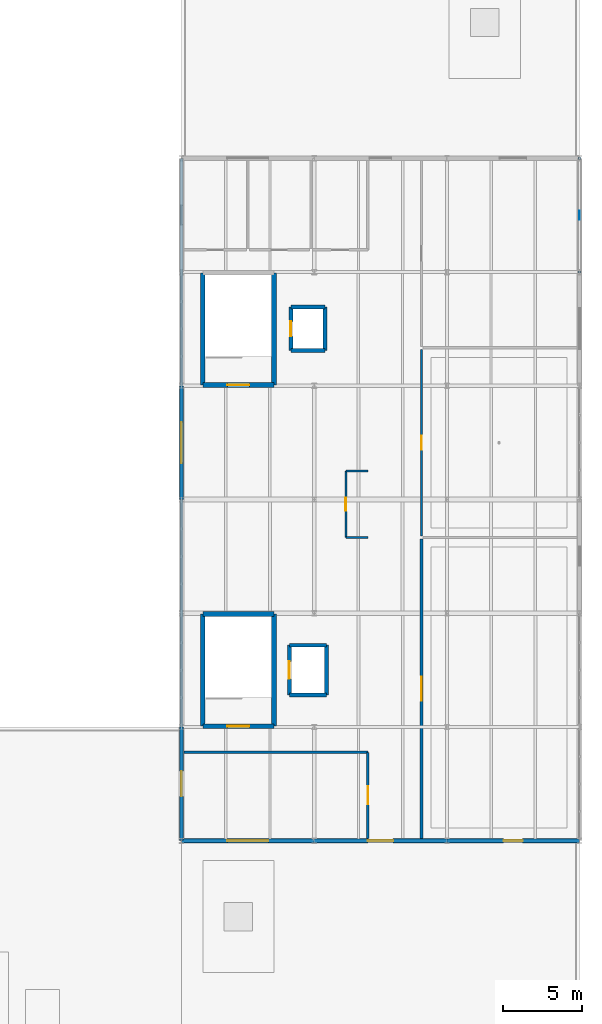
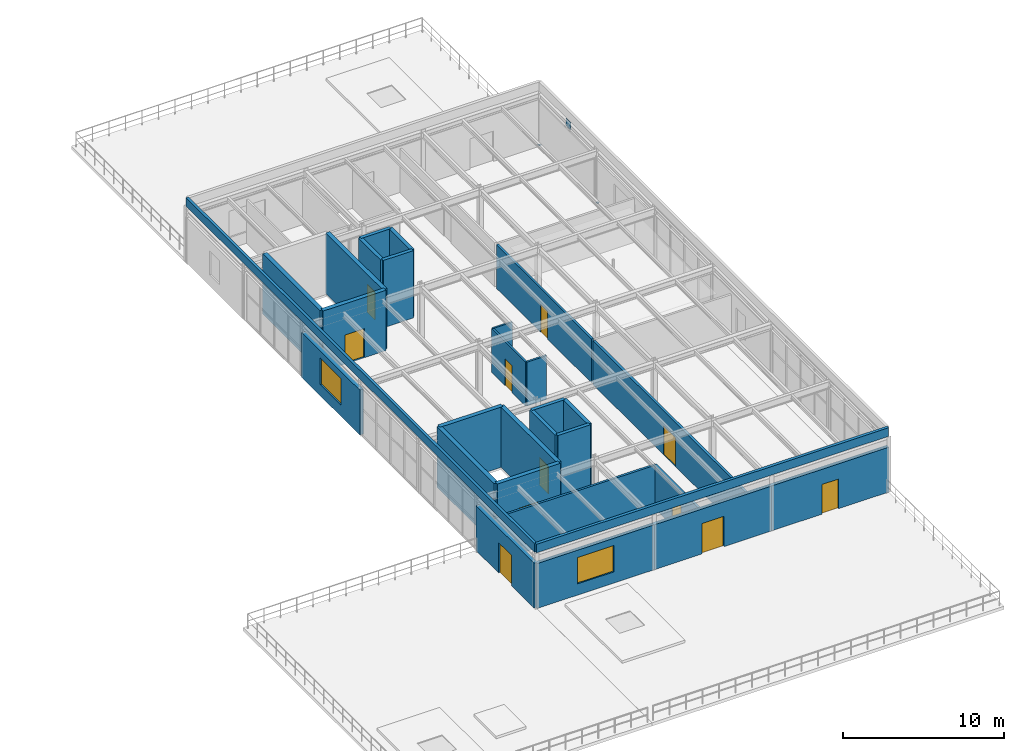
# One storey, part 74 of 77: 29 walls, 11 doors, 3 plates, 2 windows, 13 openings.
"""IFC4 building model written with IfcOpenShell, lengths in metres."""

from ifc_helpers import new_model, si_unit, derived_unit, direction, frame, frame_2d, origin, origin_2d, place, context, subcontext, project, spatial, rectangle, extrude, material, layer, layer_set, type_object, element, fill, save


model = new_model("IFC4")

# Units and contexts
model_context = context("Model", 3, precision=1e-05, world=origin(), true_north=direction((0.0, 1.0)))
body_context = subcontext(model_context, "Body", "Model", "MODEL_VIEW")
ifc_project = project(units=[si_unit("LENGTHUNIT", "METRE"), si_unit("AREAUNIT", "SQUARE_METRE"), si_unit("VOLUMEUNIT", "CUBIC_METRE"), si_unit("PLANEANGLEUNIT", "RADIAN"), si_unit("MASSUNIT", "GRAM", prefix="KILO"), derived_unit("THERMALTRANSMITTANCEUNIT", [(si_unit("MASSUNIT", "GRAM", prefix="KILO"), 1), (si_unit("TIMEUNIT", "SECOND"), -3), (si_unit("THERMODYNAMICTEMPERATUREUNIT", "KELVIN"), -1)])], contexts=[model_context])

# Site, building, storey
site_placement = place(None, origin())
site = spatial("IfcSite", under=ifc_project, at=site_placement, CompositionType="ELEMENT")
building_placement = place(site_placement, origin())
building = spatial("IfcBuilding", under=site, at=building_placement, Name="Kharveza Railside Sports Centre", CompositionType="ELEMENT")
storey_placement = place(building_placement, frame((0.0, 0.0, 17.10009765625)))
storey = spatial("IfcBuildingStorey", under=building, at=storey_placement, Name="L04", CompositionType="ELEMENT", Elevation=17.10009765625)

# Plates
ifc_material_1 = material(Name="Steel S355J2", Category="steel")
ifc_layer_1 = layer(ifc_material_1, 0.02001953125, Name="Steel S355J2")
ifc_layer_set_1 = layer_set([ifc_layer_1], Name="Steel S355J2")
plate_type_1 = type_object("IfcPlateType", Name="PL-EC11", PredefinedType="USERDEFINED", material=ifc_layer_set_1)
for number, where, z_axis, x_axis, name in (
    (1, (168.0, 64.800048828125, -0.010009765625), (0.0, 0.0, 1.0), (1.0, 0.0, 0.0), "PLT-EC-180"),
    (2, (168.0, 72.0, -0.010009765625), (0.0, 0.0, 1.0), (1.0, 0.0, 0.0), "PLT-EC-181"),
):
    element("IfcPlate", number, at=place(storey_placement, frame(where, z_axis=z_axis, x_axis=x_axis)), inside=storey, type_object=plate_type_1, Name=name, ObjectType="END_CAP_PLATE", PredefinedType="USERDEFINED", context=body_context, shape_type="SweptSolid", body=[
        extrude(rectangle(XDim=0.14990234375, YDim=0.14990234375, at=origin_2d()), origin(), (0.0, 0.0, 1.0), 0.02001953125),
    ])
ifc_layer_2 = layer(ifc_material_1, 0.028076171875, Name="Steel S355J2")
ifc_layer_set_2 = layer_set([ifc_layer_2], Name="Steel S355J2")
plate_type_2 = type_object("IfcPlateType", Name="PL-GS05", PredefinedType="USERDEFINED", material=ifc_layer_set_2)
plate_placement = place(storey_placement, frame((168.0, 68.39990234375, 3.469970703125), z_axis=(0.0, 0.0, 1.0), x_axis=(1.0, 0.0, 0.0)))
element("IfcPlate", 3, at=plate_placement, inside=storey, type_object=plate_type_2, Name="PLT-GS-CHEVN-022", ObjectType="GUSSET_PLATE", PredefinedType="USERDEFINED", context=body_context, shape_type="SweptSolid", body=[
    extrude(rectangle(XDim=0.028076171875, YDim=0.56005859375, at=origin_2d()), origin(), (0.0, 0.0, 1.0), 0.56005859375),
])

# Walls
ifc_material_2 = material(Name="Concrete C35/45", Category="concrete")
ifc_layer_3 = layer(ifc_material_2, 0.25, Name="Concrete C35/45")
ifc_layer_set_3 = layer_set([ifc_layer_3], Name="Concrete C35/45")
wall_type_1 = type_object("IfcWallType", Name="WL-CR250", PredefinedType="SHEAR", material=ifc_layer_set_3)
wall_1_placement = place(storey_placement, frame((149.625, 38.02490234375, 0.0), z_axis=(0.0, 0.0, 1.0), x_axis=(1.0, 0.0, 0.0)))
element("IfcWall", 4, at=wall_1_placement, inside=storey, type_object=wall_type_1, Name="WL-LFSH-LF1-L04-S", PredefinedType="SHEAR", context=body_context, shape_type="SweptSolid", body=[
    extrude(rectangle(XDim=2.35009765625, YDim=0.25, at=frame_2d((1.175048828125, 0.0))), origin(), (0.0, 0.0, 1.0), 5.099853515625),
])
wall_2_placement = place(storey_placement, frame((151.97509765625, 38.02490234375, 0.0), z_axis=(0.0, 0.0, 1.0), x_axis=(0.0, 1.0, 0.0)))
element("IfcWall", 5, at=wall_2_placement, inside=storey, type_object=wall_type_1, Name="WL-LFSH-LF1-L04-E", PredefinedType="SHEAR", context=body_context, shape_type="SweptSolid", body=[
    extrude(rectangle(XDim=3.150146484375, YDim=0.25, at=frame_2d((1.5751953125, 0.0))), origin(), (0.0, 0.0, 1.0), 5.099853515625),
])
wall_3_placement = place(storey_placement, frame((151.97509765625, 41.175048828125, 0.0), z_axis=(0.0, 0.0, 1.0), x_axis=(-1.0, 0.0, 0.0)))
element("IfcWall", 6, at=wall_3_placement, inside=storey, type_object=wall_type_1, Name="WL-LFSH-LF1-L04-N", PredefinedType="SHEAR", context=body_context, shape_type="SweptSolid", body=[
    extrude(rectangle(XDim=2.35009765625, YDim=0.25, at=frame_2d((1.175048828125, 0.0))), origin(), (0.0, 0.0, 1.0), 5.099853515625),
])

# Wall, opening, door
wall_4_placement = place(storey_placement, frame((149.625, 41.175048828125, 0.0), z_axis=(0.0, 0.0, 1.0), x_axis=(0.0, -1.0, 0.0)))
wall_4 = element("IfcWall", 7, at=wall_4_placement, inside=storey, type_object=wall_type_1, Name="WL-LFSH-LF1-L04-W", PredefinedType="SHEAR", context=body_context, shape_type="SweptSolid", body=[
    extrude(rectangle(XDim=3.150146484375, YDim=0.25, at=frame_2d((1.5751953125, 0.0))), origin(), (0.0, 0.0, 1.0), 5.099853515625),
])
opening_1_placement = place(wall_4_placement, frame((1.02490234375, 0.0, 0.0)))
opening_1 = element("IfcOpeningElement", 8, at=opening_1_placement, cuts=wall_4, Name="Opening D11", PredefinedType="OPENING", context=body_context, shape_type="SweptSolid", body=[
    extrude(rectangle(XDim=1.10009765625, YDim=2.10009765625, at=frame_2d((0.550048828125, 1.050048828125))), frame((0.0, 0.14990234375, 0.0), z_axis=(0.0, -1.0, 0.0), x_axis=(1.0, 0.0, 0.0)), (0.0, 0.0, 1.0), 0.2998046875),
])
ifc_material_3 = material(Name="Brushed stainless steel landing door", Category="steel")
door_type_1 = type_object("IfcDoorType", Name="DR-LF01", OperationType="NOTDEFINED", PredefinedType="DOOR", material=ifc_material_3)
door_1_placement = place(opening_1_placement, origin())
door_1 = element("IfcDoor", 9, at=door_1_placement, inside=storey, type_object=door_type_1, Name="DR-LD-LF1-L04", OperationType="SLIDING_TO_LEFT", OverallHeight=2.10009765625, OverallWidth=1.10009765625, PredefinedType="DOOR", context=body_context, shape_type="SweptSolid", body=[
    extrude(rectangle(XDim=1.10009765625, YDim=2.10009765625, at=frame_2d((0.550048828125, 1.050048828125))), frame((0.0, 0.02490234375, 0.0), z_axis=(0.0, -1.0, 0.0), x_axis=(1.0, 0.0, 0.0)), (0.0, 0.0, 1.0), 0.050048828125),
])
fill(opening_1, door_1)

# Walls
wall_5_placement = place(storey_placement, frame((149.72509765625, 59.824951171875, 0.0), z_axis=(0.0, 0.0, 1.0), x_axis=(1.0, 0.0, 0.0)))
element("IfcWall", 10, at=wall_5_placement, inside=storey, type_object=wall_type_1, Name="WL-LFSH-LF2-L04-S", PredefinedType="SHEAR", context=body_context, shape_type="SweptSolid", body=[
    extrude(rectangle(XDim=2.14990234375, YDim=0.25, at=frame_2d((1.074951171875, 0.0))), origin(), (0.0, 0.0, 1.0), 5.099853515625),
])
wall_6_placement = place(storey_placement, frame((151.875, 59.824951171875, 0.0), z_axis=(0.0, 0.0, 1.0), x_axis=(0.0, 1.0, 0.0)))
element("IfcWall", 11, at=wall_6_placement, inside=storey, type_object=wall_type_1, Name="WL-LFSH-LF2-L04-E", PredefinedType="SHEAR", context=body_context, shape_type="SweptSolid", body=[
    extrude(rectangle(XDim=2.75, YDim=0.25, at=frame_2d((1.375, 0.0))), origin(), (0.0, 0.0, 1.0), 5.099853515625),
])
wall_7_placement = place(storey_placement, frame((151.875, 62.574951171875, 0.0), z_axis=(0.0, 0.0, 1.0), x_axis=(-1.0, 0.0, 0.0)))
element("IfcWall", 12, at=wall_7_placement, inside=storey, type_object=wall_type_1, Name="WL-LFSH-LF2-L04-N", PredefinedType="SHEAR", context=body_context, shape_type="SweptSolid", body=[
    extrude(rectangle(XDim=2.14990234375, YDim=0.25, at=frame_2d((1.074951171875, 0.0))), origin(), (0.0, 0.0, 1.0), 5.099853515625),
])

# Wall, opening, door
wall_8_placement = place(storey_placement, frame((149.72509765625, 62.574951171875, 0.0), z_axis=(0.0, 0.0, 1.0), x_axis=(0.0, -1.0, 0.0)))
wall_8 = element("IfcWall", 13, at=wall_8_placement, inside=storey, type_object=wall_type_1, Name="WL-LFSH-LF2-L04-W", PredefinedType="SHEAR", context=body_context, shape_type="SweptSolid", body=[
    extrude(rectangle(XDim=2.75, YDim=0.25, at=frame_2d((1.375, 0.0))), origin(), (0.0, 0.0, 1.0), 5.099853515625),
])
opening_2_placement = place(wall_8_placement, frame((0.89990234375, 0.0, 0.0)))
opening_2 = element("IfcOpeningElement", 14, at=opening_2_placement, cuts=wall_8, Name="Opening D12", PredefinedType="OPENING", context=body_context, shape_type="SweptSolid", body=[
    extrude(rectangle(XDim=0.949951171875, YDim=2.10009765625, at=frame_2d((0.47509765625, 1.050048828125))), frame((0.0, 0.14990234375, 0.0), z_axis=(0.0, -1.0, 0.0), x_axis=(1.0, 0.0, 0.0)), (0.0, 0.0, 1.0), 0.2998046875),
])
door_type_2 = type_object("IfcDoorType", Name="DR-LF02", OperationType="NOTDEFINED", PredefinedType="DOOR", material=ifc_material_3)
door_2_placement = place(opening_2_placement, origin())
door_2 = element("IfcDoor", 15, at=door_2_placement, inside=storey, type_object=door_type_2, Name="DR-LD-LF2-L04", OperationType="SLIDING_TO_LEFT", OverallHeight=2.10009765625, OverallWidth=0.949951171875, PredefinedType="DOOR", context=body_context, shape_type="SweptSolid", body=[
    extrude(rectangle(XDim=0.949951171875, YDim=2.10009765625, at=frame_2d((0.47509765625, 1.050048828125))), frame((0.0, 0.02490234375, 0.0), z_axis=(0.0, -1.0, 0.0), x_axis=(1.0, 0.0, 0.0)), (0.0, 0.0, 1.0), 0.050048828125),
])
fill(opening_2, door_2)

ifc_layer_4 = layer(ifc_material_2, 0.300048828125, Name="Concrete C35/45")
ifc_layer_set_4 = layer_set([ifc_layer_4], Name="Concrete C35/45")
wall_type_2 = type_object("IfcWallType", Name="WL-CR300", PredefinedType="SHEAR", material=ifc_layer_set_4)
wall_9_placement = place(storey_placement, frame((144.14990234375, 36.050048828125, 0.0), z_axis=(0.0, 0.0, 1.0), x_axis=(1.0, 0.0, 0.0)))
wall_9 = element("IfcWall", 16, at=wall_9_placement, inside=storey, type_object=wall_type_2, Name="WL-CORE-ST1-L04-S", PredefinedType="SHEAR", context=body_context, shape_type="SweptSolid", body=[
    extrude(rectangle(XDim=4.5, YDim=0.300048828125, at=frame_2d((2.25, 0.0))), origin(), (0.0, 0.0, 1.0), 4.559814453125),
])
opening_3_placement = place(wall_9_placement, frame((1.550048828125, 0.0, 0.0)))
opening_3 = element("IfcOpeningElement", 17, at=opening_3_placement, cuts=wall_9, Name="Opening D09", PredefinedType="OPENING", context=body_context, shape_type="SweptSolid", body=[
    extrude(rectangle(XDim=1.39990234375, YDim=2.199951171875, at=frame_2d((0.699951171875, 1.10009765625))), frame((0.0, 0.1748046875, 0.0), z_axis=(0.0, -1.0, 0.0), x_axis=(1.0, 0.0, 0.0)), (0.0, 0.0, 1.0), 0.349853515625),
])
ifc_material_4 = material(Name="Fire-rated hardwood door leaf", Category="wood")
door_type_3 = type_object("IfcDoorType", Name="DR-ST02", OperationType="NOTDEFINED", PredefinedType="DOOR", material=ifc_material_4)
door_3_placement = place(opening_3_placement, frame((1.39990234375, 0.0, 0.0), z_axis=(0.0, 0.0, 1.0), x_axis=(-1.0, 0.0, 0.0)))
door_3 = element("IfcDoor", 18, at=door_3_placement, inside=storey, type_object=door_type_3, Name="DR-ST-ST1-L04", OperationType="SINGLE_SWING_RIGHT", OverallHeight=2.199951171875, OverallWidth=1.39990234375, PredefinedType="DOOR", context=body_context, shape_type="SweptSolid", body=[
    extrude(rectangle(XDim=1.39990234375, YDim=2.199951171875, at=frame_2d((0.699951171875, 1.10009765625))), frame((0.0, 0.02490234375, 0.0), z_axis=(0.0, -1.0, 0.0), x_axis=(1.0, 0.0, 0.0)), (0.0, 0.0, 1.0), 0.050048828125),
])
fill(opening_3, door_3)

# Walls
wall_10_placement = place(storey_placement, frame((148.64990234375, 36.050048828125, 0.0), z_axis=(0.0, 0.0, 1.0), x_axis=(0.0, 1.0, 0.0)))
element("IfcWall", 19, at=wall_10_placement, inside=storey, type_object=wall_type_2, Name="WL-CORE-ST1-L04-E", PredefinedType="SHEAR", context=body_context, shape_type="SweptSolid", body=[
    extrude(rectangle(XDim=7.099853515625, YDim=0.300048828125, at=frame_2d((3.5498046875, 0.0))), origin(), (0.0, 0.0, 1.0), 4.559814453125),
])
wall_11_placement = place(storey_placement, frame((148.64990234375, 43.14990234375, 0.0), z_axis=(0.0, 0.0, 1.0), x_axis=(-1.0, 0.0, 0.0)))
element("IfcWall", 20, at=wall_11_placement, inside=storey, type_object=wall_type_2, Name="WL-CORE-ST1-L04-N", PredefinedType="SHEAR", context=body_context, shape_type="SweptSolid", body=[
    extrude(rectangle(XDim=4.5, YDim=0.300048828125, at=frame_2d((2.25, 0.0))), origin(), (0.0, 0.0, 1.0), 4.559814453125),
])
wall_12_placement = place(storey_placement, frame((144.14990234375, 43.14990234375, 0.0), z_axis=(0.0, 0.0, 1.0), x_axis=(0.0, -1.0, 0.0)))
element("IfcWall", 21, at=wall_12_placement, inside=storey, type_object=wall_type_2, Name="WL-CORE-ST1-L04-W", PredefinedType="SHEAR", context=body_context, shape_type="SweptSolid", body=[
    extrude(rectangle(XDim=7.099853515625, YDim=0.300048828125, at=frame_2d((3.5498046875, 0.0))), origin(), (0.0, 0.0, 1.0), 4.559814453125),
])

# Wall, opening, door
wall_13_placement = place(storey_placement, frame((144.14990234375, 57.64990234375, 0.0), z_axis=(0.0, 0.0, 1.0), x_axis=(1.0, 0.0, 0.0)))
wall_13 = element("IfcWall", 22, at=wall_13_placement, inside=storey, type_object=wall_type_2, Name="WL-CORE-ST2-L04-S", PredefinedType="SHEAR", context=body_context, shape_type="SweptSolid", body=[
    extrude(rectangle(XDim=4.5, YDim=0.300048828125, at=frame_2d((2.25, 0.0))), origin(), (0.0, 0.0, 1.0), 4.559814453125),
])
opening_4_placement = place(wall_13_placement, frame((1.550048828125, 0.0, 0.0)))
opening_4 = element("IfcOpeningElement", 23, at=opening_4_placement, cuts=wall_13, Name="Opening D09", PredefinedType="OPENING", context=body_context, shape_type="SweptSolid", body=[
    extrude(rectangle(XDim=1.39990234375, YDim=2.199951171875, at=frame_2d((0.699951171875, 1.10009765625))), frame((0.0, 0.1748046875, 0.0), z_axis=(0.0, -1.0, 0.0), x_axis=(1.0, 0.0, 0.0)), (0.0, 0.0, 1.0), 0.349853515625),
])
door_4_placement = place(opening_4_placement, frame((1.39990234375, 0.0, 0.0), z_axis=(0.0, 0.0, 1.0), x_axis=(-1.0, 0.0, 0.0)))
door_4 = element("IfcDoor", 24, at=door_4_placement, inside=storey, type_object=door_type_3, Name="DR-ST-ST2-L04", OperationType="SINGLE_SWING_LEFT", OverallHeight=2.199951171875, OverallWidth=1.39990234375, PredefinedType="DOOR", context=body_context, shape_type="SweptSolid", body=[
    extrude(rectangle(XDim=1.39990234375, YDim=2.199951171875, at=frame_2d((0.699951171875, 1.10009765625))), frame((0.0, 0.02490234375, 0.0), z_axis=(0.0, -1.0, 0.0), x_axis=(1.0, 0.0, 0.0)), (0.0, 0.0, 1.0), 0.050048828125),
])
fill(opening_4, door_4)

# Walls
for number, where, z_axis, x_axis, name in (
    (25, (148.64990234375, 57.64990234375, 0.0), (0.0, 0.0, 1.0), (0.0, 1.0, 0.0), "WL-CORE-ST2-L04-E"),
    (26, (144.14990234375, 64.75, 0.0), (0.0, 0.0, 1.0), (0.0, -1.0, 0.0), "WL-CORE-ST2-L04-W"),
):
    element("IfcWall", number, at=place(storey_placement, frame(where, z_axis=z_axis, x_axis=x_axis)), inside=storey, type_object=wall_type_2, Name=name, PredefinedType="SHEAR", context=body_context, shape_type="SweptSolid", body=[
        extrude(rectangle(XDim=7.10009765625, YDim=0.300048828125, at=frame_2d((3.550048828125, 0.0))), origin(), (0.0, 0.0, 1.0), 4.559814453125),
    ])

# Wall, opening, window
ifc_material_5 = material(Name="Precast concrete C40/50", Category="concrete")
ifc_layer_5 = layer(ifc_material_5, 0.27001953125, Name="Precast concrete C40/50")
ifc_layer_set_5 = layer_set([ifc_layer_5], Name="Precast concrete C40/50")
wall_type_3 = type_object("IfcWallType", Name="WL-EX270", PredefinedType="STANDARD", material=ifc_layer_set_5)
wall_14_placement = place(storey_placement, frame((142.800048828125, 28.800048828125, 0.0), z_axis=(0.0, 0.0, 1.0), x_axis=(1.0, 0.0, 0.0)))
wall_14 = element("IfcWall", 27, at=wall_14_placement, inside=storey, type_object=wall_type_3, Name="WL-EXT-L04-244", PredefinedType="STANDARD", context=body_context, shape_type="SweptSolid", body=[
    extrude(rectangle(XDim=8.39990234375, YDim=0.27001953125, at=frame_2d((4.199951171875, 0.0))), origin(), (0.0, 0.0, 1.0), 3.39501953125),
])
opening_5_placement = place(wall_14_placement, frame((2.89990234375, 0.0, 0.85009765625)))
opening_5 = element("IfcOpeningElement", 28, at=opening_5_placement, cuts=wall_14, Name="Opening WN16", PredefinedType="OPENING", context=body_context, shape_type="SweptSolid", body=[
    extrude(rectangle(XDim=2.60009765625, YDim=2.0, at=frame_2d((1.300048828125, 1.0))), frame((0.0, 0.159912109375, 0.0), z_axis=(0.0, -1.0, 0.0), x_axis=(1.0, 0.0, 0.0)), (0.0, 0.0, 1.0), 0.31982421875),
])
ifc_material_6 = material(Name="Low-E solar-control laminated glass", Category="glass")
window_type = type_object("IfcWindowType", Name="WN-F16", PartitioningType="SINGLE_PANEL", PredefinedType="WINDOW", material=ifc_material_6)
window_1_placement = place(opening_5_placement, origin())
window_1 = element("IfcWindow", 29, at=window_1_placement, inside=storey, type_object=window_type, Name="WN-EXT-L04-144", OverallHeight=2.0, OverallWidth=2.60009765625, PartitioningType="SINGLE_PANEL", PredefinedType="WINDOW", context=body_context, shape_type="SweptSolid", body=[
    extrude(rectangle(XDim=2.60009765625, YDim=2.0, at=frame_2d((1.300048828125, 1.0))), frame((0.0, 0.030029296875, 0.0), z_axis=(0.0, -1.0, 0.0), x_axis=(1.0, 0.0, 0.0)), (0.0, 0.0, 1.0), 0.06005859375),
])
fill(opening_5, window_1)

# Wall, opening, door
wall_15_placement = place(storey_placement, frame((151.199951171875, 28.800048828125, 0.0), z_axis=(0.0, 0.0, 1.0), x_axis=(1.0, 0.0, 0.0)))
wall_15 = element("IfcWall", 30, at=wall_15_placement, inside=storey, type_object=wall_type_3, Name="WL-EXT-L04-245", PredefinedType="STANDARD", context=body_context, shape_type="SweptSolid", body=[
    extrude(rectangle(XDim=8.400146484375, YDim=0.27001953125, at=frame_2d((4.2001953125, 0.0))), origin(), (0.0, 0.0, 1.0), 3.39501953125),
])
opening_6_placement = place(wall_15_placement, frame((3.39990234375, 0.0, 0.0)))
opening_6 = element("IfcOpeningElement", 31, at=opening_6_placement, cuts=wall_15, Name="Opening D04", PredefinedType="OPENING", context=body_context, shape_type="SweptSolid", body=[
    extrude(rectangle(XDim=1.60009765625, YDim=2.300048828125, at=frame_2d((0.800048828125, 1.14990234375))), frame((0.0, 0.159912109375, 0.0), z_axis=(0.0, -1.0, 0.0), x_axis=(1.0, 0.0, 0.0)), (0.0, 0.0, 1.0), 0.31982421875),
])
ifc_material_7 = material(Name="Anodised aluminium 6063-T6", Category="aluminium")
door_type_4 = type_object("IfcDoorType", Name="DR-EX04", OperationType="NOTDEFINED", PredefinedType="DOOR", material=ifc_material_7)
door_5_placement = place(opening_6_placement, frame((1.60009765625, 0.0, 0.0), z_axis=(0.0, 0.0, 1.0), x_axis=(-1.0, 0.0, 0.0)))
door_5 = element("IfcDoor", 32, at=door_5_placement, inside=storey, type_object=door_type_4, Name="DR-TERR-L04-041", OperationType="DOUBLE_DOOR_SINGLE_SWING", OverallHeight=2.300048828125, OverallWidth=1.60009765625, PredefinedType="DOOR", context=body_context, shape_type="SweptSolid", body=[
    extrude(rectangle(XDim=1.60009765625, YDim=2.300048828125, at=frame_2d((0.800048828125, 1.14990234375))), frame((0.0, 0.02490234375, 0.0), z_axis=(0.0, -1.0, 0.0), x_axis=(1.0, 0.0, 0.0)), (0.0, 0.0, 1.0), 0.050048828125),
])
fill(opening_6, door_5)

wall_16_placement = place(storey_placement, frame((159.60009765625, 28.800048828125, 0.0), z_axis=(0.0, 0.0, 1.0), x_axis=(1.0, 0.0, 0.0)))
wall_16 = element("IfcWall", 33, at=wall_16_placement, inside=storey, type_object=wall_type_3, Name="WL-EXT-L04-246", PredefinedType="STANDARD", context=body_context, shape_type="SweptSolid", body=[
    extrude(rectangle(XDim=8.39990234375, YDim=0.27001953125, at=frame_2d((4.199951171875, 0.0))), origin(), (0.0, 0.0, 1.0), 3.39501953125),
])
opening_7_placement = place(wall_16_placement, frame((3.60009765625, 0.0, 0.0)))
opening_7 = element("IfcOpeningElement", 34, at=opening_7_placement, cuts=wall_16, Name="Opening D05", PredefinedType="OPENING", context=body_context, shape_type="SweptSolid", body=[
    extrude(rectangle(XDim=1.199951171875, YDim=2.25, at=frame_2d((0.60009765625, 1.125))), frame((0.0, 0.159912109375, 0.0), z_axis=(0.0, -1.0, 0.0), x_axis=(1.0, 0.0, 0.0)), (0.0, 0.0, 1.0), 0.31982421875),
])
door_type_5 = type_object("IfcDoorType", Name="DR-EX05", OperationType="NOTDEFINED", PredefinedType="DOOR", material=ifc_material_7)
door_6_placement = place(opening_7_placement, frame((1.199951171875, 0.0, 0.0), z_axis=(0.0, 0.0, 1.0), x_axis=(-1.0, 0.0, 0.0)))
door_6 = element("IfcDoor", 35, at=door_6_placement, inside=storey, type_object=door_type_5, Name="DR-TERR-L04-042", OperationType="SINGLE_SWING_RIGHT", OverallHeight=2.25, OverallWidth=1.199951171875, PredefinedType="DOOR", context=body_context, shape_type="SweptSolid", body=[
    extrude(rectangle(XDim=1.199951171875, YDim=2.25, at=frame_2d((0.60009765625, 1.125))), frame((0.0, 0.02490234375, 0.0), z_axis=(0.0, -1.0, 0.0), x_axis=(1.0, 0.0, 0.0)), (0.0, 0.0, 1.0), 0.050048828125),
])
fill(opening_7, door_6)

# Wall, opening, window
wall_17_placement = place(storey_placement, frame((142.800048828125, 57.60009765625, 0.0), z_axis=(0.0, 0.0, 1.0), x_axis=(0.0, -1.0, 0.0)))
wall_17 = element("IfcWall", 36, at=wall_17_placement, inside=storey, type_object=wall_type_3, Name="WL-EXT-L04-254", PredefinedType="STANDARD", context=body_context, shape_type="SweptSolid", body=[
    extrude(rectangle(XDim=7.2001953125, YDim=0.27001953125, at=frame_2d((3.60009765625, 0.0))), origin(), (0.0, 0.0, 1.0), 3.39501953125),
])
opening_8_placement = place(wall_17_placement, frame((2.300048828125, 0.0, 0.85009765625)))
opening_8 = element("IfcOpeningElement", 37, at=opening_8_placement, cuts=wall_17, Name="Opening WN16", PredefinedType="OPENING", context=body_context, shape_type="SweptSolid", body=[
    extrude(rectangle(XDim=2.60009765625, YDim=2.0, at=frame_2d((1.300048828125, 1.0))), frame((0.0, 0.159912109375, 0.0), z_axis=(0.0, -1.0, 0.0), x_axis=(1.0, 0.0, 0.0)), (0.0, 0.0, 1.0), 0.31982421875),
])
window_2_placement = place(opening_8_placement, origin())
window_2 = element("IfcWindow", 38, at=window_2_placement, inside=storey, type_object=window_type, Name="WN-EXT-L04-149", OverallHeight=2.0, OverallWidth=2.60009765625, PartitioningType="SINGLE_PANEL", PredefinedType="WINDOW", context=body_context, shape_type="SweptSolid", body=[
    extrude(rectangle(XDim=2.60009765625, YDim=2.0, at=frame_2d((1.300048828125, 1.0))), frame((0.0, 0.030029296875, 0.0), z_axis=(0.0, -1.0, 0.0), x_axis=(1.0, 0.0, 0.0)), (0.0, 0.0, 1.0), 0.06005859375),
])
fill(opening_8, window_2)

# Wall, opening, door
wall_18_placement = place(storey_placement, frame((142.800048828125, 36.0, 0.0), z_axis=(0.0, 0.0, 1.0), x_axis=(0.0, -1.0, 0.0)))
wall_18 = element("IfcWall", 39, at=wall_18_placement, inside=storey, type_object=wall_type_3, Name="WL-EXT-L04-255", PredefinedType="STANDARD", context=body_context, shape_type="SweptSolid", body=[
    extrude(rectangle(XDim=7.199951171875, YDim=0.27001953125, at=frame_2d((3.60009765625, 0.0))), origin(), (0.0, 0.0, 1.0), 3.39501953125),
])
opening_9_placement = place(wall_18_placement, frame((2.800048828125, 0.0, 0.0)))
opening_9 = element("IfcOpeningElement", 40, at=opening_9_placement, cuts=wall_18, Name="Opening D04", PredefinedType="OPENING", context=body_context, shape_type="SweptSolid", body=[
    extrude(rectangle(XDim=1.60009765625, YDim=2.300048828125, at=frame_2d((0.800048828125, 1.14990234375))), frame((0.0, 0.159912109375, 0.0), z_axis=(0.0, -1.0, 0.0), x_axis=(1.0, 0.0, 0.0)), (0.0, 0.0, 1.0), 0.31982421875),
])
door_7_placement = place(opening_9_placement, frame((1.60009765625, 0.0, 0.0), z_axis=(0.0, 0.0, 1.0), x_axis=(-1.0, 0.0, 0.0)))
door_7 = element("IfcDoor", 41, at=door_7_placement, inside=storey, type_object=door_type_4, Name="DR-TERR-L04-045", OperationType="DOUBLE_DOOR_SINGLE_SWING", OverallHeight=2.300048828125, OverallWidth=1.60009765625, PredefinedType="DOOR", context=body_context, shape_type="SweptSolid", body=[
    extrude(rectangle(XDim=1.60009765625, YDim=2.300048828125, at=frame_2d((0.800048828125, 1.14990234375))), frame((0.0, 0.02490234375, 0.0), z_axis=(0.0, -1.0, 0.0), x_axis=(1.0, 0.0, 0.0)), (0.0, 0.0, 1.0), 0.050048828125),
])
fill(opening_9, door_7)

# Walls
ifc_layer_6 = layer(ifc_material_2, 0.18994140625, Name="Concrete C35/45")
ifc_layer_set_6 = layer_set([ifc_layer_6], Name="Concrete C35/45")
wall_type_4 = type_object("IfcWallType", Name="WL-PR190", PredefinedType="PARAPET", material=ifc_layer_set_6)
wall_19_placement = place(storey_placement, frame((142.800048828125, 72.0, 4.199951171875), z_axis=(0.0, 0.0, 1.0), x_axis=(0.0, -1.0, 0.0)))
element("IfcWall", 42, at=wall_19_placement, inside=storey, type_object=wall_type_4, Name="WL-PARAP-RF-4", PredefinedType="PARAPET", context=body_context, shape_type="SweptSolid", body=[
    extrude(rectangle(XDim=43.199951171875, YDim=0.18994140625, at=frame_2d((21.60009765625, 0.0))), origin(), (0.0, 0.0, 1.0), 0.64990234375),
])
ifc_layer_7 = layer(ifc_material_5, 0.2099609375, Name="Precast concrete C40/50")
ifc_layer_set_7 = layer_set([ifc_layer_7], Name="Precast concrete C40/50")
wall_type_5 = type_object("IfcWallType", Name="WL-PR210", PredefinedType="PARAPET", material=ifc_layer_set_7)
wall_20_placement = place(storey_placement, frame((142.800048828125, 28.800048828125, 4.199951171875), z_axis=(0.0, 0.0, 1.0), x_axis=(1.0, 0.0, 0.0)))
element("IfcWall", 43, at=wall_20_placement, inside=storey, type_object=wall_type_5, Name="WL-PARAP-RF-1", PredefinedType="PARAPET", context=body_context, shape_type="SweptSolid", body=[
    extrude(rectangle(XDim=25.199951171875, YDim=0.2099609375, at=frame_2d((12.60009765625, 0.0))), origin(), (0.0, 0.0, 1.0), 0.64990234375),
])

# Wall, opening, door
ifc_layer_8 = layer(ifc_material_2, 0.1298828125, Name="Concrete C35/45")
ifc_layer_set_8 = layer_set([ifc_layer_8], Name="Concrete C35/45")
wall_type_6 = type_object("IfcWallType", Name="WL-PT130", PredefinedType="PARTITIONING", material=ifc_layer_set_8)
wall_21_placement = place(storey_placement, frame((153.199951171875, 48.0, 0.0), z_axis=(0.0, 0.0, 1.0), x_axis=(0.0, 1.0, 0.0)))
wall_21 = element("IfcWall", 44, at=wall_21_placement, inside=storey, type_object=wall_type_6, Name="WL-INT-L04-132", PredefinedType="PARTITIONING", context=body_context, shape_type="SweptSolid", body=[
    extrude(rectangle(XDim=4.199951171875, YDim=0.1298828125, at=frame_2d((2.10009765625, 0.0))), origin(), (0.0, 0.0, 1.0), 3.31982421875),
])
opening_10_placement = place(wall_21_placement, frame((1.675048828125, 0.0, 0.0)))
opening_10 = element("IfcOpeningElement", 45, at=opening_10_placement, cuts=wall_21, Name="Opening D23", PredefinedType="OPENING", context=body_context, shape_type="SweptSolid", body=[
    extrude(rectangle(XDim=0.85009765625, YDim=2.050048828125, at=frame_2d((0.425048828125, 1.02490234375))), frame((0.0, 0.08984375, 0.0), z_axis=(0.0, -1.0, 0.0), x_axis=(1.0, 0.0, 0.0)), (0.0, 0.0, 1.0), 0.1796875),
])
door_type_6 = type_object("IfcDoorType", Name="DR-TP01", OperationType="NOTDEFINED", PredefinedType="TRAPDOOR", material=ifc_material_4)
door_8_placement = place(opening_10_placement, frame((0.85009765625, 0.0, 0.0), z_axis=(0.0, 0.0, 1.0), x_axis=(-1.0, 0.0, 0.0)))
door_8 = element("IfcDoor", 46, at=door_8_placement, inside=storey, type_object=door_type_6, Name="DR-INT-L04-072", OperationType="SINGLE_SWING_LEFT", OverallHeight=2.050048828125, OverallWidth=0.85009765625, PredefinedType="TRAPDOOR", context=body_context, shape_type="SweptSolid", body=[
    extrude(rectangle(XDim=0.85009765625, YDim=2.050048828125, at=frame_2d((0.425048828125, 1.02490234375))), frame((0.0, 0.02490234375, 0.0), z_axis=(0.0, -1.0, 0.0), x_axis=(1.0, 0.0, 0.0)), (0.0, 0.0, 1.0), 0.050048828125),
])
fill(opening_10, door_8)

# Walls
for number, where, z_axis, x_axis, name in (
    (47, (153.199951171875, 52.199951171875, 0.0), (0.0, 0.0, 1.0), (1.0, 0.0, 0.0), "WL-INT-L04-133"),
    (48, (153.199951171875, 48.0, 0.0), (0.0, 0.0, 1.0), (1.0, 0.0, 0.0), "WL-INT-L04-134"),
):
    element("IfcWall", number, at=place(storey_placement, frame(where, z_axis=z_axis, x_axis=x_axis)), inside=storey, type_object=wall_type_6, Name=name, PredefinedType="PARTITIONING", context=body_context, shape_type="SweptSolid", body=[
        extrude(rectangle(XDim=1.400146484375, YDim=0.1298828125, at=frame_2d((0.7001953125, 0.0))), origin(), (0.0, 0.0, 1.0), 3.31982421875),
    ])

# Wall, opening, door
ifc_material_8 = material(Name="Gypsum board acoustic stud partition")
ifc_layer_9 = layer(ifc_material_8, 0.14501953125, Name="Gypsum board acoustic stud partition")
ifc_layer_set_9 = layer_set([ifc_layer_9], Name="Gypsum board acoustic stud partition")
wall_type_7 = type_object("IfcWallType", Name="WL-PT145", PredefinedType="PARTITIONING", material=ifc_layer_set_9)
wall_22_placement = place(storey_placement, frame((158.0, 48.10009765625, 0.0), z_axis=(0.0, 0.0, 1.0), x_axis=(0.0, 1.0, 0.0)))
wall_22 = element("IfcWall", 49, at=wall_22_placement, inside=storey, type_object=wall_type_7, Name="WL-INT-L04-120", PredefinedType="PARTITIONING", context=body_context, shape_type="SweptSolid", body=[
    extrude(rectangle(XDim=11.7998046875, YDim=0.14501953125, at=frame_2d((5.89990234375, 0.0))), origin(), (0.0, 0.0, 1.0), 3.31982421875),
])
opening_11_placement = place(wall_22_placement, frame((5.449951171875, 0.0, 0.0)))
opening_11 = element("IfcOpeningElement", 50, at=opening_11_placement, cuts=wall_22, Name="Opening D20", PredefinedType="OPENING", context=body_context, shape_type="SweptSolid", body=[
    extrude(rectangle(XDim=0.89990234375, YDim=2.10009765625, at=frame_2d((0.449951171875, 1.050048828125))), frame((0.0, 0.097412109375, 0.0), z_axis=(0.0, -1.0, 0.0), x_axis=(1.0, 0.0, 0.0)), (0.0, 0.0, 1.0), 0.19482421875),
])
door_type_7 = type_object("IfcDoorType", Name="DR-IN08", OperationType="NOTDEFINED", PredefinedType="DOOR", material=ifc_material_4)
door_9_placement = place(opening_11_placement, frame((0.89990234375, 0.0, 0.0), z_axis=(0.0, 0.0, 1.0), x_axis=(-1.0, 0.0, 0.0)))
door_9 = element("IfcDoor", 51, at=door_9_placement, inside=storey, type_object=door_type_7, Name="DR-INT-L04-066", OperationType="SINGLE_SWING_LEFT", OverallHeight=2.10009765625, OverallWidth=0.89990234375, PredefinedType="DOOR", context=body_context, shape_type="SweptSolid", body=[
    extrude(rectangle(XDim=0.89990234375, YDim=2.10009765625, at=frame_2d((0.449951171875, 1.050048828125))), frame((0.0, 0.02490234375, 0.0), z_axis=(0.0, -1.0, 0.0), x_axis=(1.0, 0.0, 0.0)), (0.0, 0.0, 1.0), 0.050048828125),
])
fill(opening_11, door_9)

ifc_layer_10 = layer(ifc_material_2, 0.159912109375, Name="Concrete C35/45")
ifc_layer_set_10 = layer_set([ifc_layer_10], Name="Concrete C35/45")
wall_type_8 = type_object("IfcWallType", Name="WL-PT160", PredefinedType="PARTITIONING", material=ifc_layer_set_10)
wall_23_placement = place(storey_placement, frame((154.60009765625, 28.949951171875, 0.0), z_axis=(0.0, 0.0, 1.0), x_axis=(0.0, 1.0, 0.0)))
wall_23 = element("IfcWall", 52, at=wall_23_placement, inside=storey, type_object=wall_type_8, Name="WL-INT-L04-124", PredefinedType="PARTITIONING", context=body_context, shape_type="SweptSolid", body=[
    extrude(rectangle(XDim=5.449951171875, YDim=0.159912109375, at=frame_2d((2.72509765625, 0.0))), origin(), (0.0, 0.0, 1.0), 3.31982421875),
])
opening_12_placement = place(wall_23_placement, frame((2.14990234375, 0.0, 0.0)))
opening_12 = element("IfcOpeningElement", 53, at=opening_12_placement, cuts=wall_23, Name="Opening D17", PredefinedType="OPENING", context=body_context, shape_type="SweptSolid", body=[
    extrude(rectangle(XDim=1.14990234375, YDim=2.14990234375, at=frame_2d((0.574951171875, 1.074951171875))), frame((0.0, 0.10498046875, 0.0), z_axis=(0.0, -1.0, 0.0), x_axis=(1.0, 0.0, 0.0)), (0.0, 0.0, 1.0), 0.209716796875),
])
door_type_8 = type_object("IfcDoorType", Name="DR-IN05", OperationType="NOTDEFINED", PredefinedType="DOOR", material=ifc_material_4)
door_10_placement = place(opening_12_placement, origin())
door_10 = element("IfcDoor", 54, at=door_10_placement, inside=storey, type_object=door_type_8, Name="DR-INT-L04-068", OperationType="SINGLE_SWING_LEFT", OverallHeight=2.14990234375, OverallWidth=1.14990234375, PredefinedType="DOOR", context=body_context, shape_type="SweptSolid", body=[
    extrude(rectangle(XDim=1.14990234375, YDim=2.14990234375, at=frame_2d((0.574951171875, 1.074951171875))), frame((0.0, 0.02490234375, 0.0), z_axis=(0.0, -1.0, 0.0), x_axis=(1.0, 0.0, 0.0)), (0.0, 0.0, 1.0), 0.050048828125),
])
fill(opening_12, door_10)

# Wall
wall_24_placement = place(storey_placement, frame((142.949951171875, 34.39990234375, 0.0), z_axis=(0.0, 0.0, 1.0), x_axis=(1.0, 0.0, 0.0)))
element("IfcWall", 55, at=wall_24_placement, inside=storey, type_object=wall_type_8, Name="WL-INT-L04-125", PredefinedType="PARTITIONING", context=body_context, shape_type="SweptSolid", body=[
    extrude(rectangle(XDim=11.650146484375, YDim=0.159912109375, at=frame_2d((5.8251953125, 0.0))), origin(), (0.0, 0.0, 1.0), 3.31982421875),
])

# Wall, opening, door
ifc_layer_11 = layer(ifc_material_8, 0.175048828125, Name="Gypsum board acoustic stud partition")
ifc_layer_set_11 = layer_set([ifc_layer_11], Name="Gypsum board acoustic stud partition")
wall_type_9 = type_object("IfcWallType", Name="WL-PT175", PredefinedType="PARTITIONING", material=ifc_layer_set_11)
wall_25_placement = place(storey_placement, frame((158.0, 28.949951171875, 0.0), z_axis=(0.0, 0.0, 1.0), x_axis=(0.0, 1.0, 0.0)))
wall_25 = element("IfcWall", 56, at=wall_25_placement, inside=storey, type_object=wall_type_9, Name="WL-INT-L04-119", PredefinedType="PARTITIONING", context=body_context, shape_type="SweptSolid", body=[
    extrude(rectangle(XDim=18.949951171875, YDim=0.175048828125, at=frame_2d((9.47509765625, 0.0))), origin(), (0.0, 0.0, 1.0), 3.31982421875),
])
opening_13_placement = place(wall_25_placement, frame((8.72509765625, 0.0, 0.0)))
opening_13 = element("IfcOpeningElement", 57, at=opening_13_placement, cuts=wall_25, Name="Opening D15", PredefinedType="OPENING", context=body_context, shape_type="SweptSolid", body=[
    extrude(rectangle(XDim=1.5, YDim=2.199951171875, at=frame_2d((0.75, 1.10009765625))), frame((0.0, 0.1123046875, 0.0), z_axis=(0.0, -1.0, 0.0), x_axis=(1.0, 0.0, 0.0)), (0.0, 0.0, 1.0), 0.224853515625),
])
door_type_9 = type_object("IfcDoorType", Name="DR-IN03", OperationType="NOTDEFINED", PredefinedType="DOOR", material=ifc_material_4)
door_11_placement = place(opening_13_placement, origin())
door_11 = element("IfcDoor", 58, at=door_11_placement, inside=storey, type_object=door_type_9, Name="DR-INT-L04-065", OperationType="DOUBLE_DOOR_SINGLE_SWING", OverallHeight=2.199951171875, OverallWidth=1.5, PredefinedType="DOOR", context=body_context, shape_type="SweptSolid", body=[
    extrude(rectangle(XDim=1.5, YDim=2.199951171875, at=frame_2d((0.75, 1.10009765625))), frame((0.0, 0.02490234375, 0.0), z_axis=(0.0, -1.0, 0.0), x_axis=(1.0, 0.0, 0.0)), (0.0, 0.0, 1.0), 0.050048828125),
])
fill(opening_13, door_11)

save(model, "model.ifc")
